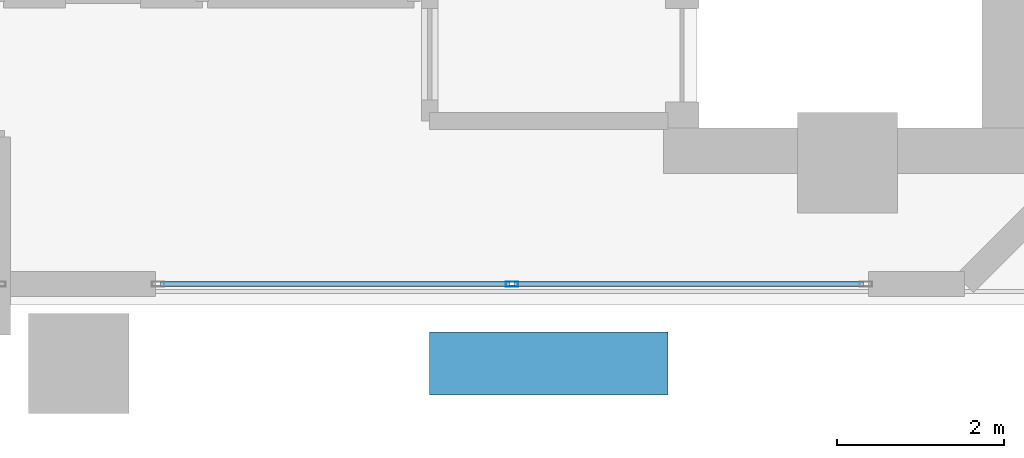
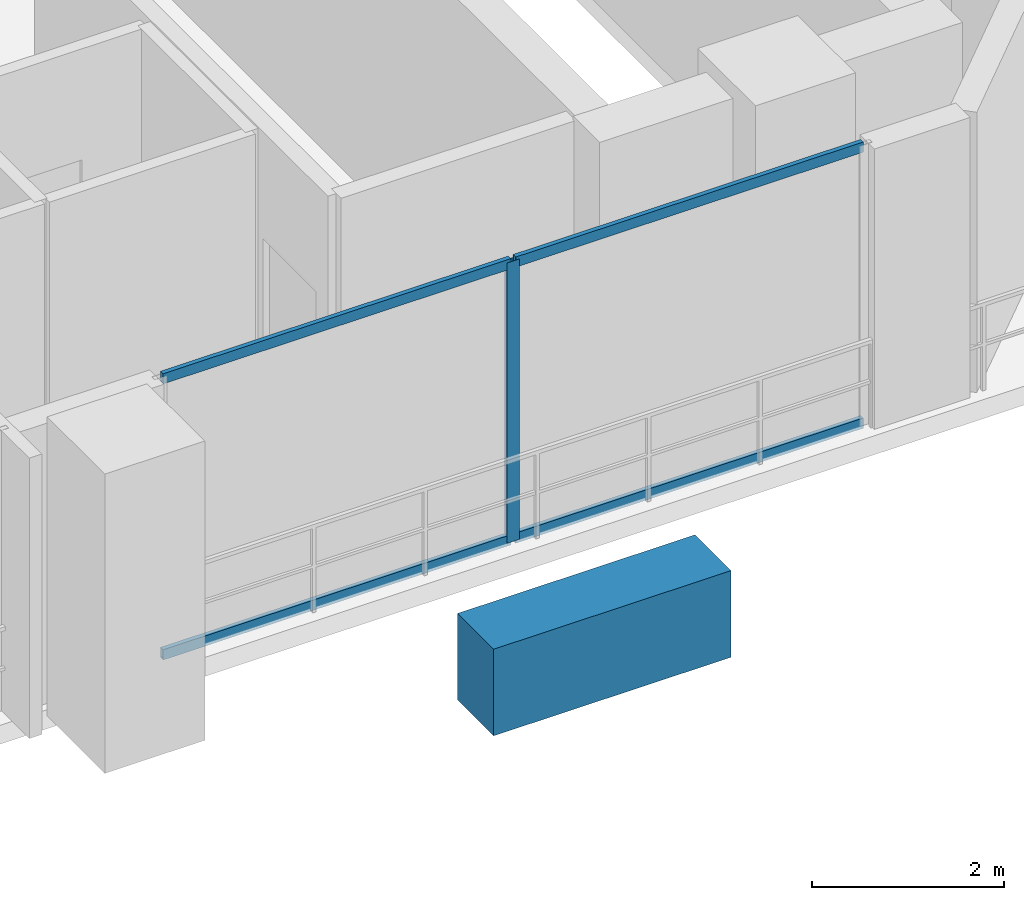
# One storey, part 6 of 26: 5 members, 1 beam, 1 element without a shape of its own.
"""IFC4 building model written with IfcOpenShell, lengths in metres."""

from ifc_helpers import new_model, si_unit, direction, frame, origin, origin_2d, place, context, subcontext, project, spatial, rectangle, hollow_rectangle, extrude, material, layer, layer_set, material_profile, profile_set, type_object, element, aggregate, save


model = new_model("IFC4")

# Units and contexts
model_context = context("Model", 3, precision=1e-05, world=origin(), true_north=direction((0.0, 1.0)))
body_context = subcontext(model_context, "Body", "Model", "MODEL_VIEW")
ifc_project = project(units=[si_unit("LENGTHUNIT", "METRE"), si_unit("AREAUNIT", "SQUARE_METRE"), si_unit("VOLUMEUNIT", "CUBIC_METRE"), si_unit("PLANEANGLEUNIT", "RADIAN"), si_unit("MASSUNIT", "GRAM", prefix="KILO")], contexts=[model_context])

# Site, building, storey
site_placement = place(None, origin())
site = spatial("IfcSite", under=ifc_project, at=site_placement, CompositionType="ELEMENT")
building_placement = place(site_placement, origin())
building = spatial("IfcBuilding", under=site, at=building_placement, Name="Zuhayl Quay Hotel", CompositionType="ELEMENT")
storey_placement = place(building_placement, frame((0.0, 0.0, 301.050048828125)))
storey = spatial("IfcBuildingStorey", under=building, at=storey_placement, Name="Crown 2", CompositionType="ELEMENT", Elevation=301.050048828125)

# Beam
ifc_material_1 = material(Name="Concrete C60/75", Category="concrete")
ifc_material_profile_1 = material_profile(ifc_material_1, rectangle(XDim=0.75, YDim=1.10009765625, at=origin_2d()), Name="RC750X1100")
ifc_profile_set_1 = profile_set([ifc_material_profile_1], Name="Concrete C60/75")
beam_type = type_object("IfcBeamType", Name="BM_CB2_RC750", PredefinedType="T_BEAM", material=ifc_profile_set_1)
beam_placement = place(storey_placement, frame((8.800048828125, 2.14990234375, -0.7900390625), z_axis=(1.0, 0.0, 0.0), x_axis=(0.0, 1.0, 0.0)))
element("IfcBeam", 1, at=beam_placement, inside=storey, type_object=beam_type, Name="Crown 2 Core Coupling Beam SE", PredefinedType="T_BEAM", context=body_context, shape_type="SweptSolid", body=[
    extrude(rectangle(XDim=0.75, YDim=1.10009765625, at=origin_2d()), origin(), (0.0, 0.0, 1.0), 2.849853515625),
])

# Curtain wall, members
ifc_material_2 = material(Name="Anodised Aluminium 6063-T6", Category="aluminium")
ifc_layer = layer(ifc_material_2, 0.159912109375, Name="Anodised Aluminium 6063-T6", Category="aluminium")
ifc_layer_set = layer_set([ifc_layer], Name="Anodised Aluminium 6063-T6")
curtain_wall_type = type_object("IfcCurtainWallType", Name="CW_SYS_CRN", PredefinedType="USERDEFINED", material=ifc_layer_set)
curtain_wall_placement = place(storey_placement, origin())
curtain_wall = element("IfcCurtainWall", 2, at=curtain_wall_placement, inside=storey, type_object=curtain_wall_type, Name="Crown 2 Curtain Wall ENV_CR2_E7_CW1", ObjectType="UNITISED CURTAIN WALL", PredefinedType="USERDEFINED")
ifc_material_3 = material(Name="Black-anodised aluminium 6063-T6", Category="aluminium")
ifc_material_profile_2 = material_profile(ifc_material_3, hollow_rectangle(XDim=0.06005859375, YDim=0.14990234375, WallThickness=0.00341796875, at=origin_2d()), Name="ALU150X60")
ifc_profile_set_2 = profile_set([ifc_material_profile_2], Name="Black-anodised aluminium 6063-T6")
member_type_1 = type_object("IfcMemberType", Name="MB_CW_MUL_150", PredefinedType="MULLION", material=ifc_profile_set_2)
member_1_placement = place(storey_placement, frame((9.784912109375, 3.10009765625, 0.0), z_axis=(0.0, 0.0, 1.0), x_axis=(0.0, -1.0, 0.0)))
member_1 = element("IfcMember", 3, at=member_1_placement, type_object=member_type_1, Name="CW-CRN mullion 2", PredefinedType="MULLION", context=body_context, shape_type="SweptSolid", body=[
    extrude(hollow_rectangle(XDim=0.06005859375, YDim=0.14990234375, WallThickness=0.00341796875, at=origin_2d()), origin(), (0.0, 0.0, 1.0), 3.56005859375),
])
ifc_material_profile_3 = material_profile(ifc_material_3, hollow_rectangle(XDim=0.054931640625, YDim=0.1298828125, WallThickness=0.0029296875, at=origin_2d()), Name="ALU130X55")
ifc_profile_set_3 = profile_set([ifc_material_profile_3], Name="Black-anodised aluminium 6063-T6")
member_type_2 = type_object("IfcMemberType", Name="MB_CW_TRN_130", PredefinedType="USERDEFINED", material=ifc_profile_set_3)
member_2_placement = place(storey_placement, frame((13.989990234375, 3.10009765625, 0.02734375), z_axis=(-1.0, 0.0, 0.0), x_axis=(0.0, -1.0, 0.0)))
member_2 = element("IfcMember", 4, at=member_2_placement, type_object=member_type_2, Name="CW-CRN transom 1.1", ObjectType="TRANSOM", PredefinedType="USERDEFINED", context=body_context, shape_type="SweptSolid", body=[
    extrude(hollow_rectangle(XDim=0.054931640625, YDim=0.1298828125, WallThickness=0.0029296875, at=origin_2d()), origin(), (0.0, 0.0, 1.0), 4.175048828125),
])
member_3_placement = place(storey_placement, frame((13.989990234375, 3.10009765625, 3.532470703125), z_axis=(-1.0, 0.0, 0.0), x_axis=(0.0, -1.0, 0.0)))
member_3 = element("IfcMember", 5, at=member_3_placement, type_object=member_type_2, Name="CW-CRN transom 1.2", ObjectType="TRANSOM", PredefinedType="USERDEFINED", context=body_context, shape_type="SweptSolid", body=[
    extrude(hollow_rectangle(XDim=0.054931640625, YDim=0.1298828125, WallThickness=0.0029296875, at=origin_2d()), origin(), (0.0, 0.0, 1.0), 4.175048828125),
])
member_4_placement = place(storey_placement, frame((9.7548828125, 3.10009765625, 0.02734375), z_axis=(-1.0, 0.0, 0.0), x_axis=(0.0, -1.0, 0.0)))
member_4 = element("IfcMember", 6, at=member_4_placement, type_object=member_type_2, Name="CW-CRN transom 2.1", ObjectType="TRANSOM", PredefinedType="USERDEFINED", context=body_context, shape_type="SweptSolid", body=[
    extrude(hollow_rectangle(XDim=0.054931640625, YDim=0.1298828125, WallThickness=0.0029296875, at=origin_2d()), origin(), (0.0, 0.0, 1.0), 4.1748046875),
])
member_5_placement = place(storey_placement, frame((9.7548828125, 3.10009765625, 3.532470703125), z_axis=(-1.0, 0.0, 0.0), x_axis=(0.0, -1.0, 0.0)))
member_5 = element("IfcMember", 7, at=member_5_placement, type_object=member_type_2, Name="CW-CRN transom 2.2", ObjectType="TRANSOM", PredefinedType="USERDEFINED", context=body_context, shape_type="SweptSolid", body=[
    extrude(hollow_rectangle(XDim=0.054931640625, YDim=0.1298828125, WallThickness=0.0029296875, at=origin_2d()), origin(), (0.0, 0.0, 1.0), 4.1748046875),
])
aggregate(curtain_wall, [member_1, member_2, member_3, member_4, member_5])

save(model, "model.ifc")
